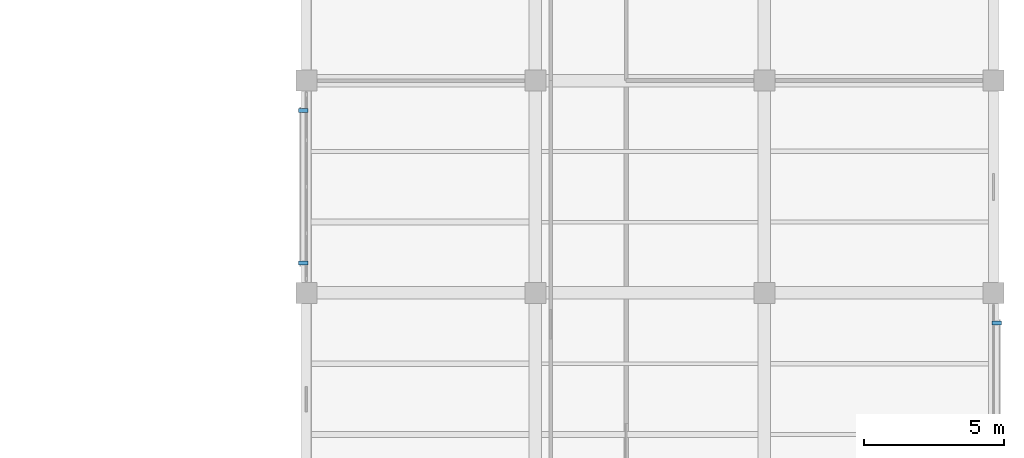
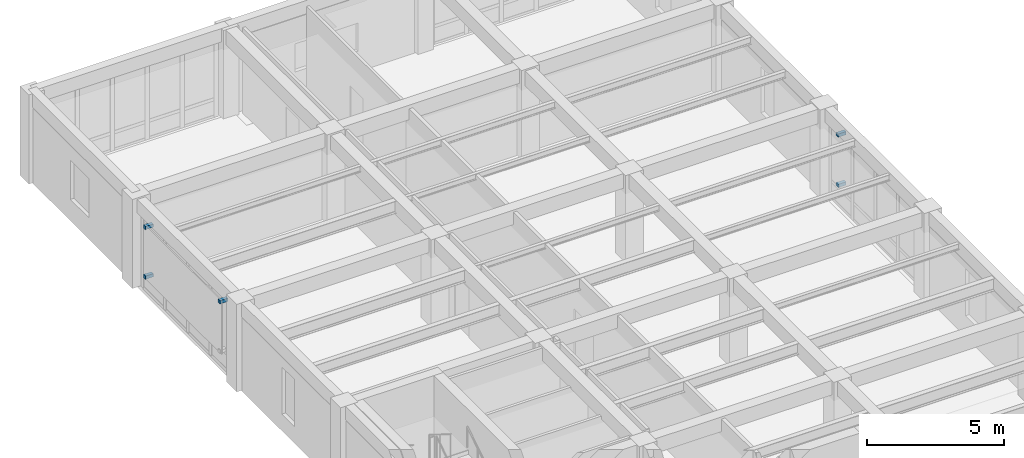
# One storey, part 10 of 14: 5 discrete accessories.
"""IFC4 building model written with IfcOpenShell, lengths in metres."""

from ifc_helpers import new_model, si_unit, direction, frame, origin, origin_2d, place, context, subcontext, project, spatial, rectangle, extrude, material, type_object, element, save


model = new_model("IFC4")

# Units and contexts
model_context = context("Model", 3, precision=1e-05, world=origin(), true_north=direction((0.0, 1.0)))
body_context = subcontext(model_context, "Body", "Model", "MODEL_VIEW")
ifc_project = project(units=[si_unit("LENGTHUNIT", "METRE"), si_unit("AREAUNIT", "SQUARE_METRE"), si_unit("VOLUMEUNIT", "CUBIC_METRE"), si_unit("PLANEANGLEUNIT", "RADIAN"), si_unit("MASSUNIT", "GRAM", prefix="KILO")], contexts=[model_context])

# Site, building, storey
site_placement = place(None, origin())
site = spatial("IfcSite", under=ifc_project, at=site_placement, CompositionType="ELEMENT")
building_placement = place(site_placement, origin())
building = spatial("IfcBuilding", under=site, at=building_placement, Name="Qandaris Square Conservatory and Botanical Centre", CompositionType="ELEMENT")
storey_placement = place(building_placement, frame((0.0, 0.0, 49.199951171875)))
storey = spatial("IfcBuildingStorey", under=building, at=storey_placement, Name="L11", CompositionType="ELEMENT", Elevation=49.199951171875)

# Discrete accessories
ifc_material = material(Name="Steel S355", Category="steel")
discrete_accessory_type = type_object("IfcDiscreteAccessoryType", Name="Mashrabiya Support Outrigger Bracket", PredefinedType="BRACKET", material=ifc_material)
for number, where, z_axis, x_axis, name in (
    (1, (163.909912109375, 53.52490234375, 0.85302734375), (0.0, 0.0, 1.0), (0.0, 1.0, 0.0), "Mashrabiya Bracket CW-TWR-L11-2-5-BRK-60-501"),
    (2, (163.909912109375, 53.52490234375, 3.09521484375), (0.0, 0.0, 1.0), (0.0, 1.0, 0.0), "Mashrabiya Bracket CW-TWR-L11-2-5-BRK-60-524"),
    (3, (139.090087890625, 61.125, 0.84228515625), (0.0, 0.0, 1.0), (0.0, -1.0, 0.0), "Mashrabiya Bracket CW-TWR-L11-4-2-BRK-6-501"),
    (4, (139.090087890625, 61.125, 3.05029296875), (0.0, 0.0, 1.0), (0.0, -1.0, 0.0), "Mashrabiya Bracket CW-TWR-L11-4-2-BRK-6-523"),
    (5, (139.090087890625, 55.675048828125, 3.05029296875), (0.0, 0.0, 1.0), (0.0, -1.0, 0.0), "Mashrabiya Bracket CW-TWR-L11-4-2-BRK-60-523"),
):
    element("IfcDiscreteAccessory", number, at=place(storey_placement, frame(where, z_axis=z_axis, x_axis=x_axis)), inside=storey, type_object=discrete_accessory_type, Name=name, PredefinedType="BRACKET", context=body_context, shape_type="SweptSolid", body=[
        extrude(rectangle(XDim=0.139892578125, YDim=0.340087890625, at=origin_2d()), origin(), (0.0, 0.0, 1.0), 0.139892578125),
    ])

save(model, "model.ifc")
